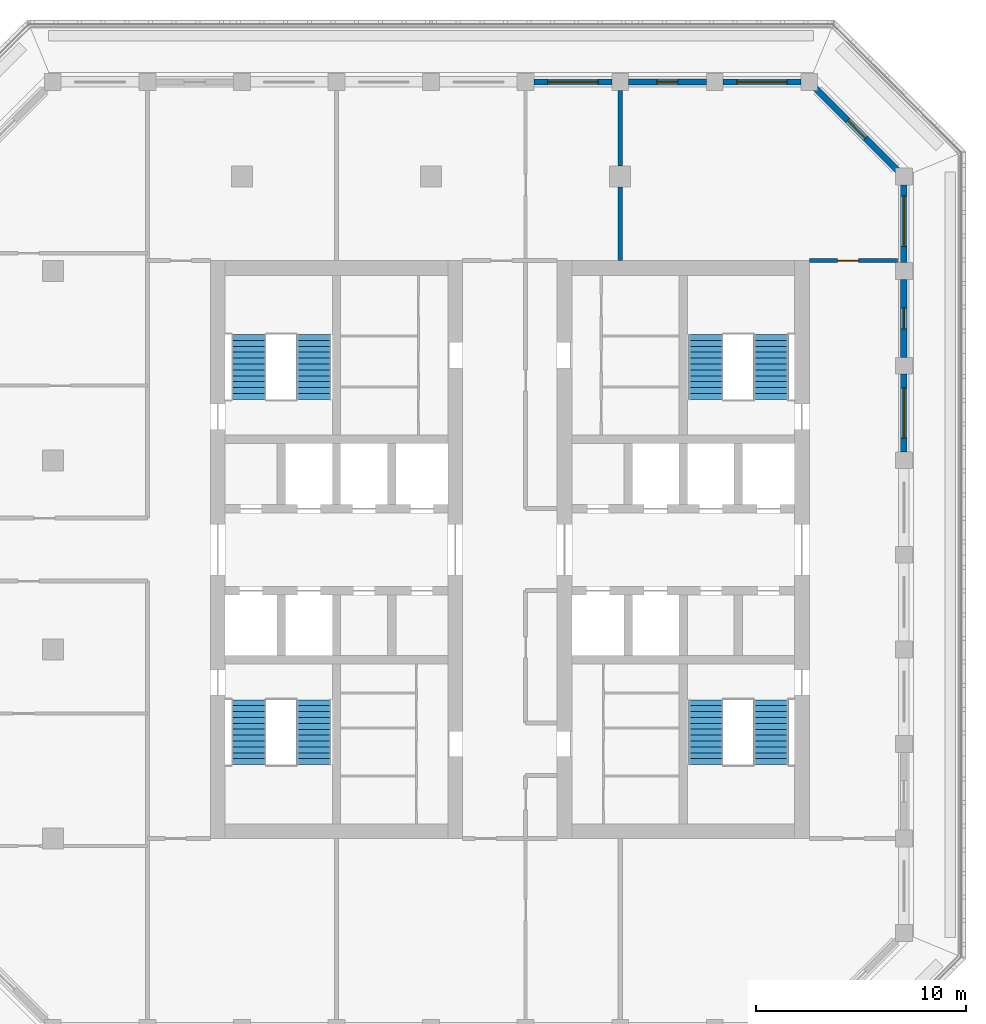
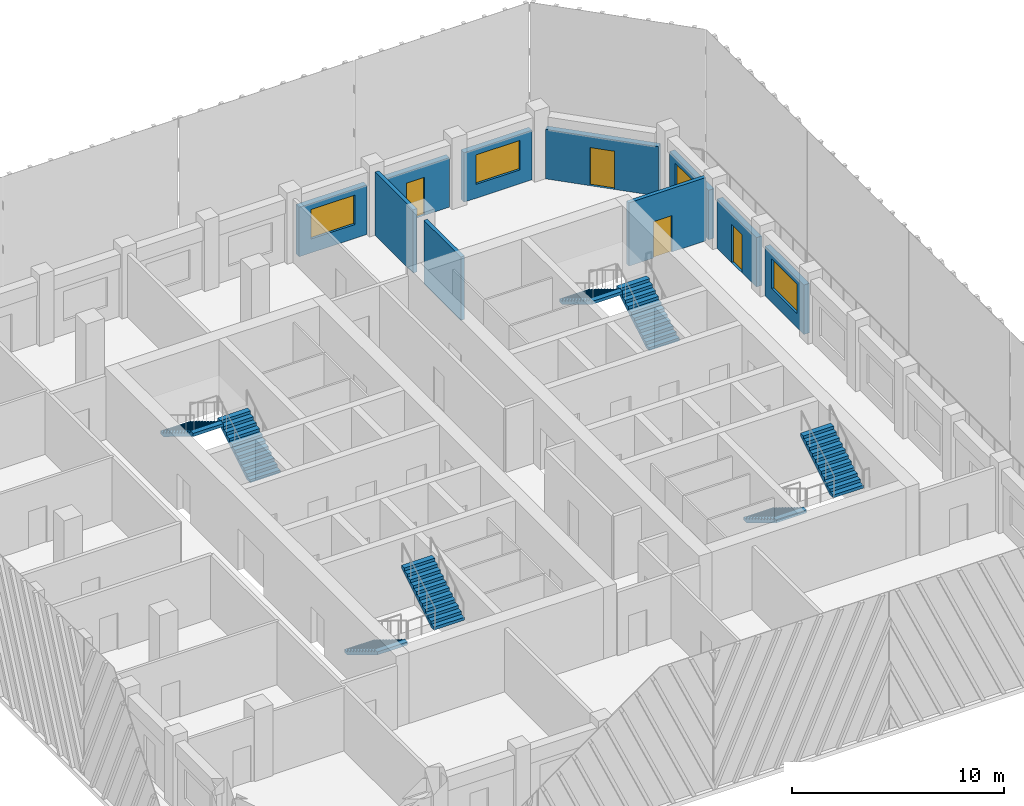
# One storey, part 7 of 15: 10 walls, 8 stair flights, 4 doors, 4 windows, 8 openings, 4 elements without a shape of their own.
"""IFC4 building model written with IfcOpenShell, lengths in metres."""

import ifcopenshell
import ifcopenshell.guid

model = None  # the IFC model being written
_history = None  # IfcOwnerHistory: only IFC2X3 demands one
_inside = {}  # id of a spatial element -> (the spatial element, [elements in it])
_under = {}  # id of a project, library or spatial element -> (it, [spatial elements below it])
_declared = {}  # id of a project -> (the project, [libraries it declares])
_typed = {}  # id of a type object -> (the type object, [elements of that type])
_made_of = {}  # id of a material, layer set ... -> (it, [elements and type objects made of it])


def new_model(schema):
    """Start an empty IFC model of exactly this schema.

    Asked for "IFC4X3", IfcOpenShell would pick the latest addendum, in which some entities
    have other attributes; the version numbers below select the first issue.
    IFC2X3 requires an IfcOwnerHistory on every rooted entity: one is made here for all.
    """
    global model, _history
    if schema == "IFC4X3":
        model = ifcopenshell.file(schema_version=(4, 3, 0, 0))
    else:
        model = ifcopenshell.file(schema=schema)
    _inside.clear()
    _under.clear()
    _declared.clear()
    _typed.clear()
    _made_of.clear()
    _history = None
    if model.schema == "IFC2X3":
        org = make("IfcOrganization", Name="unknown")
        user = make(
            "IfcPersonAndOrganization",
            ThePerson=make("IfcPerson", FamilyName="unknown"),
            TheOrganization=org,
        )
        app = make(
            "IfcApplication",
            ApplicationDeveloper=org,
            Version="unknown",
            ApplicationFullName="unknown",
            ApplicationIdentifier="unknown",
        )
        _history = make(
            "IfcOwnerHistory",
            OwningUser=user,
            OwningApplication=app,
            ChangeAction="ADDED",
            CreationDate=0,
        )
    return model


def make(cls, **values):
    """One entity of the class cls with the attributes given. An attribute that is None is left unset."""
    return model.create_entity(
        cls, **{name: value for name, value in values.items() if value is not None}
    )


def rooted(cls, **values):
    """An entity with a GlobalId (a new one), such as an element, a storey or a relation."""
    return make(cls, GlobalId=ifcopenshell.guid.new(), OwnerHistory=_history, **values)


def si_unit(unit_type, name, prefix=None):
    """IfcSIUnit, for example si_unit("LENGTHUNIT", "METRE", prefix="MILLI")."""
    return make("IfcSIUnit", UnitType=unit_type, Prefix=prefix, Name=name)


def assignment(units):
    """IfcUnitAssignment: the units of a project."""
    return None if units is None else make("IfcUnitAssignment", Units=units)


def point(xyz):
    """IfcCartesianPoint."""
    return None if xyz is None else make("IfcCartesianPoint", Coordinates=xyz)


def direction(xyz):
    """IfcDirection."""
    return None if xyz is None else make("IfcDirection", DirectionRatios=xyz)


def frame(location, z_axis=None, x_axis=None):
    """IfcAxis2Placement3D, a coordinate frame: its origin and axes. An axis left out is left unset."""
    return make(
        "IfcAxis2Placement3D",
        Location=point(location),
        Axis=direction(z_axis),
        RefDirection=direction(x_axis),
    )


def frame_2d(location, x_axis=None):
    """IfcAxis2Placement2D, a coordinate frame in the plane: its origin and x axis."""
    return make(
        "IfcAxis2Placement2D", Location=point(location), RefDirection=direction(x_axis)
    )


def origin():
    """The frame at (0, 0, 0) with its axes left unset."""
    return frame((0.0, 0.0, 0.0))


def place(relative_to, where):
    """IfcLocalPlacement: puts the frame where relative to a parent placement (None: the world)."""
    return make(
        "IfcLocalPlacement", PlacementRelTo=relative_to, RelativePlacement=where
    )


def context(
    kind, dimensions, precision=None, world=None, true_north=None, identifier=None
):
    """IfcGeometricRepresentationContext, for example the 3D "Model" context."""
    return make(
        "IfcGeometricRepresentationContext",
        ContextIdentifier=identifier,
        ContextType=kind,
        CoordinateSpaceDimension=dimensions,
        Precision=precision,
        WorldCoordinateSystem=world,
        TrueNorth=true_north,
    )


def subcontext(parent, identifier, kind, view, scale=None):
    """IfcGeometricRepresentationSubContext, for example "Body" below "Model"."""
    return make(
        "IfcGeometricRepresentationSubContext",
        ContextIdentifier=identifier,
        ContextType=kind,
        ParentContext=parent,
        TargetScale=scale,
        TargetView=view,
    )


def project(units=None, contexts=None):
    """IfcProject with its units and contexts."""
    return rooted(
        "IfcProject",
        Name="project",
        RepresentationContexts=contexts,
        UnitsInContext=assignment(units),
    )


def spatial(cls, under=None, at=None, **own):
    """A site, building, storey or space (cls), placed at a placement, below another one or the project."""
    s = rooted(cls, ObjectPlacement=at, **own)
    if under is not None:
        _under.setdefault(under.id(), (under, []))[1].append(s)
    return s


def polyline(points):
    """IfcPolyline through the points."""
    return make("IfcPolyline", Points=[point(p) for p in points])


def profile(cls, at=None, kind="AREA", **sizes):
    """A parametric profile (cls). Its sizes go by their IFC names, for example OverallWidth=200.0."""
    return make(cls, ProfileType=kind, Position=at, **sizes)


def rectangle(**sizes):
    """IfcRectangleProfileDef."""
    return profile("IfcRectangleProfileDef", **sizes)


def outline(outer, holes=None, kind="AREA"):
    """IfcArbitraryClosedProfileDef: a profile drawn as a closed curve; with holes, ...WithVoids."""
    if holes is None:
        return make("IfcArbitraryClosedProfileDef", ProfileType=kind, OuterCurve=outer)
    return make(
        "IfcArbitraryProfileDefWithVoids",
        ProfileType=kind,
        OuterCurve=outer,
        InnerCurves=holes,
    )


def extrude(swept, where, along, depth):
    """IfcExtrudedAreaSolid: the profile swept, set in the frame where, extruded along a direction by depth."""
    return make(
        "IfcExtrudedAreaSolid",
        SweptArea=swept,
        Position=where,
        ExtrudedDirection=direction(along),
        Depth=depth,
    )


def shape(context_of_items, identifier, shape_type, items):
    """IfcShapeRepresentation: the items that make up one representation, for example the "Body"."""
    return make(
        "IfcShapeRepresentation",
        ContextOfItems=context_of_items,
        RepresentationIdentifier=identifier,
        RepresentationType=shape_type,
        Items=items,
    )


def material(Name=None, Category=None):
    """IfcMaterial."""
    return make("IfcMaterial", Name=Name, Category=Category)


def layer(
    of_material, thickness, ventilated=None, Name=None, Category=None, Priority=None
):
    """IfcMaterialLayer: one layer of a wall or slab, of a material (None: an air gap)."""
    return make(
        "IfcMaterialLayer",
        Material=of_material,
        LayerThickness=thickness,
        IsVentilated=ventilated,
        Name=Name,
        Category=Category,
        Priority=Priority,
    )


def layer_set(layers, Name=None):
    """IfcMaterialLayerSet."""
    return make("IfcMaterialLayerSet", MaterialLayers=layers, LayerSetName=Name)


def made_of(thing, what):
    """Note that an element or type object is made of a material, layer set ...; save() writes the relation."""
    if what is not None:
        _made_of.setdefault(what.id(), (what, []))[1].append(thing)
    return thing


def type_object(cls, material=None, **own):
    """A type object (cls), such as IfcWallType, which elements share."""
    return made_of(rooted(cls, **own), material)


def element(
    cls,
    number,
    at=None,
    inside=None,
    cuts=None,
    type_object=None,
    material=None,
    context=None,
    identifier="Body",
    shape_type=None,
    held_by="IfcProductDefinitionShape",
    body=None,
    shapes=None,
    **own,
):
    """One element of the class cls, such as IfcWall. Its Tag is "e" and its number.

    at: its placement. inside: the storey or other place that contains it. cuts: it is an
    opening in that element (IfcRelVoidsElement). A single representation is given by context,
    identifier, shape_type and body (its items); several are given by shapes. held_by: the class
    of the entity that holds the representations. save() writes the other relations.
    """
    e = rooted(cls, Tag="e%d" % number, ObjectPlacement=at, **own)
    if body is not None:
        shapes = [shape(context, identifier, shape_type, body)]
    if shapes is not None:
        e.Representation = make(held_by, Representations=shapes)
    if inside is not None:
        _inside.setdefault(inside.id(), (inside, []))[1].append(e)
    if cuts is not None:
        rooted(
            "IfcRelVoidsElement", RelatingBuildingElement=cuts, RelatedOpeningElement=e
        )
    if type_object is not None:
        _typed.setdefault(type_object.id(), (type_object, []))[1].append(e)
    return made_of(e, material)


def fill(opening, filler):
    """IfcRelFillsElement: the door or window that sits in an opening."""
    return rooted(
        "IfcRelFillsElement",
        RelatingOpeningElement=opening,
        RelatedBuildingElement=filler,
    )


def aggregate(whole, parts):
    """IfcRelAggregates: a whole, such as a stair, and the parts it consists of."""
    return rooted("IfcRelAggregates", RelatingObject=whole, RelatedObjects=parts)


def save(model, path):
    """Write the relations noted so far, then the file.

    IfcRelAggregates (storeys below a building ...), IfcRelContainedInSpatialStructure (elements
    in a storey), IfcRelDefinesByType, IfcRelAssociatesMaterial and IfcRelDeclares: one each for
    every whole, place, type object, material and project.
    """
    for whole, parts in _under.values():
        aggregate(whole, parts)
    for where, things in _inside.values():
        rooted(
            "IfcRelContainedInSpatialStructure",
            RelatedElements=things,
            RelatingStructure=where,
        )
    for kind, things in _typed.values():
        rooted("IfcRelDefinesByType", RelatedObjects=things, RelatingType=kind)
    for what, things in _made_of.values():
        rooted("IfcRelAssociatesMaterial", RelatedObjects=things, RelatingMaterial=what)
    for by, libraries in _declared.values():
        rooted("IfcRelDeclares", RelatingContext=by, RelatedDefinitions=libraries)
    model.write(path)


model = new_model("IFC4")

# Units and contexts
model_context = context("Model", 3, precision=1e-05, world=origin(), true_north=direction((0.0, 1.0)))
body_context = subcontext(model_context, "Body", "Model", "MODEL_VIEW")
ifc_project = project(units=[si_unit("LENGTHUNIT", "METRE"), si_unit("AREAUNIT", "SQUARE_METRE"), si_unit("VOLUMEUNIT", "CUBIC_METRE"), si_unit("PLANEANGLEUNIT", "RADIAN"), si_unit("MASSUNIT", "GRAM", prefix="KILO")], contexts=[model_context])

# Site, building, storey
site_placement = place(None, origin())
site = spatial("IfcSite", under=ifc_project, at=site_placement, CompositionType="ELEMENT")
building_placement = place(site_placement, origin())
building = spatial("IfcBuilding", under=site, at=building_placement, Name="Corbel Stack Research Tower", CompositionType="ELEMENT")
storey_placement = place(building_placement, frame((0.0, 0.0, 282.699951171875)))
storey = spatial("IfcBuildingStorey", under=building, at=storey_placement, Name="L64", CompositionType="ELEMENT", Elevation=282.699951171875)

# Walls
ifc_material_1 = material(Name="Fire-rated gypsum board partition on steel studs", Category="steel")
ifc_layer_1 = layer(ifc_material_1, 0.199951171875)
ifc_layer_set_1 = layer_set([ifc_layer_1], Name="Fire-rated gypsum board partition on steel studs")
wall_type_1 = type_object("IfcWallType", Name="Fire-rated partition 200 EI 60", PredefinedType="PARTITIONING", material=ifc_layer_set_1)
wall_1_placement = place(storey_placement, frame((9.0, 18.5, 0.0), z_axis=(0.0, 0.0, 1.0), x_axis=(0.0, 1.0, 0.0)))
element("IfcWall", 1, at=wall_1_placement, inside=storey, type_object=wall_type_1, Name="Partition L64-011", PredefinedType="PARTITIONING", context=body_context, shape_type="SweptSolid", body=[
    extrude(rectangle(XDim=3.5, YDim=0.199951171875, at=frame_2d((1.75, 0.0))), origin(), (0.0, 0.0, 1.0), 3.650146484375),
])
wall_2_placement = place(storey_placement, frame((9.0, 23.0, 0.0), z_axis=(0.0, 0.0, 1.0), x_axis=(0.0, 1.0, 0.0)))
element("IfcWall", 2, at=wall_2_placement, inside=storey, type_object=wall_type_1, Name="Partition L64-012", PredefinedType="PARTITIONING", context=body_context, shape_type="SweptSolid", body=[
    extrude(rectangle(XDim=3.60009765625, YDim=0.199951171875, at=frame_2d((1.800048828125, 0.0))), origin(), (0.0, 0.0, 1.0), 3.650146484375),
])

# Wall, opening, door
wall_3_placement = place(storey_placement, frame((18.0, 18.5, 0.0), z_axis=(0.0, 0.0, 1.0), x_axis=(1.0, 0.0, 0.0)))
wall_3 = element("IfcWall", 3, at=wall_3_placement, inside=storey, type_object=wall_type_1, Name="Partition L64-028", PredefinedType="PARTITIONING", context=body_context, shape_type="SweptSolid", body=[
    extrude(rectangle(XDim=4.200927734375, YDim=0.199951171875, at=frame_2d((2.1005859375, 0.0))), origin(), (0.0, 0.0, 1.0), 3.650146484375),
])
opening_1_placement = place(wall_3_placement, frame((1.35009765625, 0.0, 0.0)))
opening_1 = element("IfcOpeningElement", 4, at=opening_1_placement, cuts=wall_3, Name="Opening B8V2-016", PredefinedType="OPENING", context=body_context, shape_type="SweptSolid", body=[
    extrude(rectangle(XDim=1.0, YDim=2.10009765625, at=frame_2d((0.5, 1.050048828125))), frame((0.0, 0.10986328125, 0.0), z_axis=(0.0, -1.0, 0.0), x_axis=(1.0, 0.0, 0.0)), (0.0, 0.0, 1.0), 0.219970703125),
])
ifc_material_2 = material(Name="Painted steel fire door", Category="steel")
door_type_1 = type_object("IfcDoorType", Name="Fire door FD30S 1000 x 2100", OperationType="NOTDEFINED", PredefinedType="DOOR", material=ifc_material_2)
door_1_placement = place(opening_1_placement, origin())
door_1 = element("IfcDoor", 5, at=door_1_placement, inside=storey, type_object=door_type_1, Name="Door B8V2-016", OperationType="SINGLE_SWING_LEFT", OverallHeight=2.10009765625, OverallWidth=1.0, PredefinedType="DOOR", context=body_context, shape_type="SweptSolid", body=[
    extrude(rectangle(XDim=1.0, YDim=2.10009765625, at=frame_2d((0.5, 1.050048828125))), frame((0.0, 0.02490234375, 0.0), z_axis=(0.0, -1.0, 0.0), x_axis=(1.0, 0.0, 0.0)), (0.0, 0.0, 1.0), 0.050048828125),
])
fill(opening_1, door_1)

# Wall, opening, window
ifc_material_3 = material(Name="Concrete C45/55", Category="concrete")
ifc_layer_2 = layer(ifc_material_3, 0.300048828125)
ifc_layer_set_2 = layer_set([ifc_layer_2], Name="Concrete C45/55")
wall_type_2 = type_object("IfcWallType", Name="Terracotta-faced concrete wall 300", PredefinedType="SOLIDWALL", material=ifc_layer_set_2)
wall_4_placement = place(storey_placement, frame((22.5, 13.10009765625, 0.0), z_axis=(0.0, 0.0, 1.0), x_axis=(0.0, -1.0, 0.0)))
wall_4 = element("IfcWall", 6, at=wall_4_placement, inside=storey, type_object=wall_type_2, Name="Facade wall L64 E06", PredefinedType="SOLIDWALL", context=body_context, shape_type="SweptSolid", body=[
    extrude(rectangle(XDim=3.7001953125, YDim=0.300048828125, at=frame_2d((1.85009765625, 0.0))), origin(), (0.0, 0.0, 1.0), 2.85009765625),
])
opening_2_placement = place(wall_4_placement, frame((0.64990234375, 0.0, 0.800048828125)))
opening_2 = element("IfcOpeningElement", 7, at=opening_2_placement, cuts=wall_4, Name="Opening W1", PredefinedType="OPENING", context=body_context, shape_type="SweptSolid", body=[
    extrude(rectangle(XDim=2.39990234375, YDim=1.699951171875, at=frame_2d((1.199951171875, 0.85009765625))), frame((0.0, 0.159912109375, 0.0), z_axis=(0.0, -1.0, 0.0), x_axis=(1.0, 0.0, 0.0)), (0.0, 0.0, 1.0), 0.320068359375),
])
ifc_material_4 = material(Name="Aluminium frame, clear double glazing", Category="aluminium")
window_type = type_object("IfcWindowType", Name="Window W1 2400 x 1700", PartitioningType="SINGLE_PANEL", PredefinedType="WINDOW", material=ifc_material_4)
window_1_placement = place(opening_2_placement, origin())
window_1 = element("IfcWindow", 8, at=window_1_placement, inside=storey, type_object=window_type, Name="Window W1 L64 E06", OverallHeight=1.699951171875, OverallWidth=2.39990234375, PartitioningType="SINGLE_PANEL", PredefinedType="WINDOW", context=body_context, shape_type="SweptSolid", body=[
    extrude(rectangle(XDim=2.39990234375, YDim=1.699951171875, at=frame_2d((1.199951171875, 0.85009765625))), frame((0.0, 0.030029296875, 0.0), z_axis=(0.0, -1.0, 0.0), x_axis=(1.0, 0.0, 0.0)), (0.0, 0.0, 1.0), 0.06005859375),
])
fill(opening_2, window_1)

# Wall, opening, door
wall_5_placement = place(storey_placement, frame((22.5, 17.60009765625, 0.0), z_axis=(0.0, 0.0, 1.0), x_axis=(0.0, -1.0, 0.0)))
wall_5 = element("IfcWall", 9, at=wall_5_placement, inside=storey, type_object=wall_type_2, Name="Facade wall L64 E07", PredefinedType="SOLIDWALL", context=body_context, shape_type="SweptSolid", body=[
    extrude(rectangle(XDim=3.7001953125, YDim=0.300048828125, at=frame_2d((1.85009765625, 0.0))), origin(), (0.0, 0.0, 1.0), 2.85009765625),
])
opening_3_placement = place(wall_5_placement, frame((1.35009765625, 0.0, 0.0)))
opening_3 = element("IfcOpeningElement", 10, at=opening_3_placement, cuts=wall_5, Name="Opening L64-B05", PredefinedType="OPENING", context=body_context, shape_type="SweptSolid", body=[
    extrude(rectangle(XDim=1.0, YDim=2.199951171875, at=frame_2d((0.5, 1.10009765625))), frame((0.0, 0.159912109375, 0.0), z_axis=(0.0, -1.0, 0.0), x_axis=(1.0, 0.0, 0.0)), (0.0, 0.0, 1.0), 0.320068359375),
])
ifc_material_5 = material(Name="Aluminium frame, clear double glazing", Category="aluminium")
door_type_2 = type_object("IfcDoorType", Name="Balcony door BD1 1000 x 2200", OperationType="NOTDEFINED", PredefinedType="DOOR", material=ifc_material_5)
door_2_placement = place(opening_3_placement, origin())
door_2 = element("IfcDoor", 11, at=door_2_placement, inside=storey, type_object=door_type_2, Name="Balcony door L64-B05", OperationType="SINGLE_SWING_LEFT", OverallHeight=2.199951171875, OverallWidth=1.0, PredefinedType="DOOR", context=body_context, shape_type="SweptSolid", body=[
    extrude(rectangle(XDim=1.0, YDim=2.199951171875, at=frame_2d((0.5, 1.10009765625))), frame((0.0, 0.02490234375, 0.0), z_axis=(0.0, -1.0, 0.0), x_axis=(1.0, 0.0, 0.0)), (0.0, 0.0, 1.0), 0.050048828125),
])
fill(opening_3, door_2)

# Wall, opening, window
wall_6_placement = place(storey_placement, frame((22.5, 22.10009765625, 0.0), z_axis=(0.0, 0.0, 1.0), x_axis=(0.0, -1.0, 0.0)))
wall_6 = element("IfcWall", 12, at=wall_6_placement, inside=storey, type_object=wall_type_2, Name="Facade wall L64 E08", PredefinedType="SOLIDWALL", context=body_context, shape_type="SweptSolid", body=[
    extrude(rectangle(XDim=3.7001953125, YDim=0.300048828125, at=frame_2d((1.85009765625, 0.0))), origin(), (0.0, 0.0, 1.0), 2.85009765625),
])
opening_4_placement = place(wall_6_placement, frame((0.52490234375, 0.0, 0.800048828125)))
opening_4 = element("IfcOpeningElement", 13, at=opening_4_placement, cuts=wall_6, Name="Opening W1", PredefinedType="OPENING", context=body_context, shape_type="SweptSolid", body=[
    extrude(rectangle(XDim=2.39990234375, YDim=1.699951171875, at=frame_2d((1.199951171875, 0.85009765625))), frame((0.0, 0.159912109375, 0.0), z_axis=(0.0, -1.0, 0.0), x_axis=(1.0, 0.0, 0.0)), (0.0, 0.0, 1.0), 0.320068359375),
])
window_2_placement = place(opening_4_placement, origin())
window_2 = element("IfcWindow", 14, at=window_2_placement, inside=storey, type_object=window_type, Name="Window W1 L64 E08", OverallHeight=1.699951171875, OverallWidth=2.39990234375, PartitioningType="SINGLE_PANEL", PredefinedType="WINDOW", context=body_context, shape_type="SweptSolid", body=[
    extrude(rectangle(XDim=2.39990234375, YDim=1.699951171875, at=frame_2d((1.199951171875, 0.85009765625))), frame((0.0, 0.030029296875, 0.0), z_axis=(0.0, -1.0, 0.0), x_axis=(1.0, 0.0, 0.0)), (0.0, 0.0, 1.0), 0.06005859375),
])
fill(opening_4, window_2)

# Wall, opening, door
wall_7_placement = place(storey_placement, frame((18.2939453125, 26.7060546875, 0.0), z_axis=(0.0, 0.0, 1.0), x_axis=(0.707106781187, -0.707106781187, 0.0)))
wall_7 = element("IfcWall", 15, at=wall_7_placement, inside=storey, type_object=wall_type_2, Name="Facade wall L64 NE01", PredefinedType="SOLIDWALL", context=body_context, shape_type="SweptSolid", body=[
    extrude(rectangle(XDim=5.532470703125, YDim=0.300048828125, at=frame_2d((2.76611328125, 0.0))), origin(), (0.0, 0.0, 1.0), 2.85009765625),
])
opening_5_placement = place(wall_7_placement, frame((2.166259765625, 0.0, 0.0)))
opening_5 = element("IfcOpeningElement", 16, at=opening_5_placement, cuts=wall_7, Name="Opening L64-B06", PredefinedType="OPENING", context=body_context, shape_type="SweptSolid", body=[
    extrude(rectangle(XDim=1.199951171875, YDim=2.199951171875, at=frame_2d((0.60009765625, 1.10009765625))), frame((0.0, 0.159912109375, 0.0), z_axis=(0.0, -1.0, 0.0), x_axis=(1.0, 0.0, 0.0)), (0.0, 0.0, 1.0), 0.320068359375),
])
ifc_material_6 = material(Name="Aluminium frame, clear double glazing", Category="aluminium")
door_type_3 = type_object("IfcDoorType", Name="Balcony door BD2 1200 x 2200", OperationType="NOTDEFINED", PredefinedType="DOOR", material=ifc_material_6)
door_3_placement = place(opening_5_placement, origin())
door_3 = element("IfcDoor", 17, at=door_3_placement, inside=storey, type_object=door_type_3, Name="Balcony door L64-B06", OperationType="SINGLE_SWING_LEFT", OverallHeight=2.199951171875, OverallWidth=1.199951171875, PredefinedType="DOOR", context=body_context, shape_type="SweptSolid", body=[
    extrude(rectangle(XDim=1.199951171875, YDim=2.199951171875, at=frame_2d((0.60009765625, 1.10009765625))), frame((0.0, 0.02490234375, 0.0), z_axis=(0.0, -1.0, 0.0), x_axis=(1.0, 0.0, 0.0)), (0.0, 0.0, 1.0), 0.050048828125),
])
fill(opening_5, door_3)

# Wall, opening, window
wall_8_placement = place(storey_placement, frame((13.89990234375, 27.0, 0.0), z_axis=(0.0, 0.0, 1.0), x_axis=(1.0, 0.0, 0.0)))
wall_8 = element("IfcWall", 18, at=wall_8_placement, inside=storey, type_object=wall_type_2, Name="Facade wall L64 N01", PredefinedType="SOLIDWALL", context=body_context, shape_type="SweptSolid", body=[
    extrude(rectangle(XDim=3.7001953125, YDim=0.300048828125, at=frame_2d((1.85009765625, 0.0))), origin(), (0.0, 0.0, 1.0), 2.85009765625),
])
opening_6_placement = place(wall_8_placement, frame((0.64990234375, 0.0, 0.800048828125)))
opening_6 = element("IfcOpeningElement", 19, at=opening_6_placement, cuts=wall_8, Name="Opening W1", PredefinedType="OPENING", context=body_context, shape_type="SweptSolid", body=[
    extrude(rectangle(XDim=2.39990234375, YDim=1.699951171875, at=frame_2d((1.199951171875, 0.85009765625))), frame((0.0, 0.159912109375, 0.0), z_axis=(0.0, -1.0, 0.0), x_axis=(1.0, 0.0, 0.0)), (0.0, 0.0, 1.0), 0.320068359375),
])
window_3_placement = place(opening_6_placement, origin())
window_3 = element("IfcWindow", 20, at=window_3_placement, inside=storey, type_object=window_type, Name="Window W1 L64 N01", OverallHeight=1.699951171875, OverallWidth=2.39990234375, PartitioningType="SINGLE_PANEL", PredefinedType="WINDOW", context=body_context, shape_type="SweptSolid", body=[
    extrude(rectangle(XDim=2.39990234375, YDim=1.699951171875, at=frame_2d((1.199951171875, 0.85009765625))), frame((0.0, 0.030029296875, 0.0), z_axis=(0.0, -1.0, 0.0), x_axis=(1.0, 0.0, 0.0)), (0.0, 0.0, 1.0), 0.06005859375),
])
fill(opening_6, window_3)

# Wall, opening, door
wall_9_placement = place(storey_placement, frame((9.39990234375, 27.0, 0.0), z_axis=(0.0, 0.0, 1.0), x_axis=(1.0, 0.0, 0.0)))
wall_9 = element("IfcWall", 21, at=wall_9_placement, inside=storey, type_object=wall_type_2, Name="Facade wall L64 N02", PredefinedType="SOLIDWALL", context=body_context, shape_type="SweptSolid", body=[
    extrude(rectangle(XDim=3.7001953125, YDim=0.300048828125, at=frame_2d((1.85009765625, 0.0))), origin(), (0.0, 0.0, 1.0), 2.85009765625),
])
opening_7_placement = place(wall_9_placement, frame((1.35009765625, 0.0, 0.0)))
opening_7 = element("IfcOpeningElement", 22, at=opening_7_placement, cuts=wall_9, Name="Opening L64-B07", PredefinedType="OPENING", context=body_context, shape_type="SweptSolid", body=[
    extrude(rectangle(XDim=1.0, YDim=2.199951171875, at=frame_2d((0.5, 1.10009765625))), frame((0.0, 0.159912109375, 0.0), z_axis=(0.0, -1.0, 0.0), x_axis=(1.0, 0.0, 0.0)), (0.0, 0.0, 1.0), 0.320068359375),
])
door_4_placement = place(opening_7_placement, origin())
door_4 = element("IfcDoor", 23, at=door_4_placement, inside=storey, type_object=door_type_2, Name="Balcony door L64-B07", OperationType="SINGLE_SWING_RIGHT", OverallHeight=2.199951171875, OverallWidth=1.0, PredefinedType="DOOR", context=body_context, shape_type="SweptSolid", body=[
    extrude(rectangle(XDim=1.0, YDim=2.199951171875, at=frame_2d((0.5, 1.10009765625))), frame((0.0, 0.02490234375, 0.0), z_axis=(0.0, -1.0, 0.0), x_axis=(1.0, 0.0, 0.0)), (0.0, 0.0, 1.0), 0.050048828125),
])
fill(opening_7, door_4)

# Wall, opening, window
wall_10_placement = place(storey_placement, frame((4.89990234375, 27.0, 0.0), z_axis=(0.0, 0.0, 1.0), x_axis=(1.0, 0.0, 0.0)))
wall_10 = element("IfcWall", 24, at=wall_10_placement, inside=storey, type_object=wall_type_2, Name="Facade wall L64 N03", PredefinedType="SOLIDWALL", context=body_context, shape_type="SweptSolid", body=[
    extrude(rectangle(XDim=3.7001953125, YDim=0.300048828125, at=frame_2d((1.85009765625, 0.0))), origin(), (0.0, 0.0, 1.0), 2.85009765625),
])
opening_8_placement = place(wall_10_placement, frame((0.64990234375, 0.0, 0.800048828125)))
opening_8 = element("IfcOpeningElement", 25, at=opening_8_placement, cuts=wall_10, Name="Opening W1", PredefinedType="OPENING", context=body_context, shape_type="SweptSolid", body=[
    extrude(rectangle(XDim=2.39990234375, YDim=1.699951171875, at=frame_2d((1.199951171875, 0.85009765625))), frame((0.0, 0.159912109375, 0.0), z_axis=(0.0, -1.0, 0.0), x_axis=(1.0, 0.0, 0.0)), (0.0, 0.0, 1.0), 0.320068359375),
])
window_4_placement = place(opening_8_placement, origin())
window_4 = element("IfcWindow", 26, at=window_4_placement, inside=storey, type_object=window_type, Name="Window W1 L64 N03", OverallHeight=1.699951171875, OverallWidth=2.39990234375, PartitioningType="SINGLE_PANEL", PredefinedType="WINDOW", context=body_context, shape_type="SweptSolid", body=[
    extrude(rectangle(XDim=2.39990234375, YDim=1.699951171875, at=frame_2d((1.199951171875, 0.85009765625))), frame((0.0, 0.030029296875, 0.0), z_axis=(0.0, -1.0, 0.0), x_axis=(1.0, 0.0, 0.0)), (0.0, 0.0, 1.0), 0.06005859375),
])
fill(opening_8, window_4)

# Stair, stair flights
ifc_material_7 = material(Name="Concrete C40/50", Category="concrete")
stair_type = type_object("IfcStairType", Name="Exit stair 24 risers", PredefinedType="HALF_TURN_STAIR", material=ifc_material_7)
stair_1_placement = place(storey_placement, origin())
stair_1 = element("IfcStair", 27, at=stair_1_placement, inside=storey, type_object=stair_type, Name="L64 Exit stair ST-W1", PredefinedType="HALF_TURN_STAIR")
ifc_material_8 = material(Name="Concrete C40/50", Category="concrete")
stair_flight_type = type_object("IfcStairFlightType", Name="Stair flight 12 risers", PredefinedType="STRAIGHT", material=ifc_material_8)
stair_flight_1_placement = place(storey_placement, frame((-8.675048828125, -2.39990234375, 0.0), z_axis=(0.0, 0.0, 1.0), x_axis=(0.0, -1.0, 0.0)))
stair_flight_1 = element("IfcStairFlight", 28, at=stair_flight_1_placement, type_object=stair_flight_type, Name="ST-W1 flight 1", NumberOfRisers=12, NumberOfTreads=11, PredefinedType="STRAIGHT", RiserHeight=0.170833333, TreadLength=0.28, context=body_context, shape_type="SweptSolid", body=[
    extrude(outline(polyline([(0.0, 0.0), (0.0, 0.1708984375), (0.280029296875, 0.1708984375), (0.280029296875, 0.341552734375), (0.56005859375, 0.341552734375), (0.56005859375, 0.512451171875), (0.840087890625, 0.512451171875), (0.840087890625, 0.683349609375), (1.1201171875, 0.683349609375), (1.1201171875, 0.854248046875), (1.39990234375, 0.854248046875), (1.39990234375, 1.02490234375), (1.679931640625, 1.02490234375), (1.679931640625, 1.19580078125), (1.9599609375, 1.19580078125), (1.9599609375, 1.36669921875), (2.239990234375, 1.36669921875), (2.239990234375, 1.53759765625), (2.52001953125, 1.53759765625), (2.52001953125, 1.708251953125), (2.800048828125, 1.708251953125), (2.800048828125, 1.879150390625), (3.080078125, 1.879150390625), (3.080078125, 2.050048828125), (3.080078125, 1.70361328125), (0.287841796875, 0.0), (0.0, 0.0)])), frame((0.0, 0.824951171875, 0.0), z_axis=(0.0, -1.0, 0.0), x_axis=(1.0, 0.0, 0.0)), (0.0, 0.0, 1.0), 1.64990234375),
])
stair_flight_2_placement = place(storey_placement, frame((-5.574951171875, -5.47998046875, 2.050048828125), z_axis=(0.0, 0.0, 1.0), x_axis=(0.0, 1.0, 0.0)))
stair_flight_2 = element("IfcStairFlight", 29, at=stair_flight_2_placement, type_object=stair_flight_type, Name="ST-W1 flight 2", NumberOfRisers=12, NumberOfTreads=11, PredefinedType="STRAIGHT", RiserHeight=0.170833333, TreadLength=0.28, context=body_context, shape_type="SweptSolid", body=[
    extrude(outline(polyline([(0.0, 0.0), (0.0, 0.1708984375), (0.280029296875, 0.1708984375), (0.280029296875, 0.341552734375), (0.56005859375, 0.341552734375), (0.56005859375, 0.512451171875), (0.840087890625, 0.512451171875), (0.840087890625, 0.683349609375), (1.1201171875, 0.683349609375), (1.1201171875, 0.854248046875), (1.39990234375, 0.854248046875), (1.39990234375, 1.02490234375), (1.679931640625, 1.02490234375), (1.679931640625, 1.19580078125), (1.9599609375, 1.19580078125), (1.9599609375, 1.36669921875), (2.239990234375, 1.36669921875), (2.239990234375, 1.53759765625), (2.52001953125, 1.53759765625), (2.52001953125, 1.708251953125), (2.800048828125, 1.708251953125), (2.800048828125, 1.879150390625), (3.080078125, 1.879150390625), (3.080078125, 2.050048828125), (3.080078125, 1.70361328125), (0.287841796875, 0.0), (0.0, 0.0)])), frame((0.0, 0.824951171875, 0.0), z_axis=(0.0, -1.0, 0.0), x_axis=(1.0, 0.0, 0.0)), (0.0, 0.0, 1.0), 1.64990234375),
])
aggregate(stair_1, [stair_flight_1, stair_flight_2])

stair_2_placement = place(storey_placement, origin())
stair_2 = element("IfcStair", 30, at=stair_2_placement, inside=storey, type_object=stair_type, Name="L64 Exit stair ST-W2", PredefinedType="HALF_TURN_STAIR")
stair_flight_3_placement = place(storey_placement, frame((-5.574951171875, 11.89990234375, 0.0), z_axis=(0.0, 0.0, 1.0), x_axis=(0.0, 1.0, 0.0)))
stair_flight_3 = element("IfcStairFlight", 31, at=stair_flight_3_placement, type_object=stair_flight_type, Name="ST-W2 flight 1", NumberOfRisers=12, NumberOfTreads=11, PredefinedType="STRAIGHT", RiserHeight=0.170833333, TreadLength=0.28, context=body_context, shape_type="SweptSolid", body=[
    extrude(outline(polyline([(0.0, 0.0), (0.0, 0.1708984375), (0.280029296875, 0.1708984375), (0.280029296875, 0.341552734375), (0.56005859375, 0.341552734375), (0.56005859375, 0.512451171875), (0.840087890625, 0.512451171875), (0.840087890625, 0.683349609375), (1.1201171875, 0.683349609375), (1.1201171875, 0.854248046875), (1.39990234375, 0.854248046875), (1.39990234375, 1.02490234375), (1.679931640625, 1.02490234375), (1.679931640625, 1.19580078125), (1.9599609375, 1.19580078125), (1.9599609375, 1.36669921875), (2.239990234375, 1.36669921875), (2.239990234375, 1.53759765625), (2.52001953125, 1.53759765625), (2.52001953125, 1.708251953125), (2.800048828125, 1.708251953125), (2.800048828125, 1.879150390625), (3.080078125, 1.879150390625), (3.080078125, 2.050048828125), (3.080078125, 1.70361328125), (0.287841796875, 0.0), (0.0, 0.0)])), frame((0.0, 0.824951171875, 0.0), z_axis=(0.0, -1.0, 0.0), x_axis=(1.0, 0.0, 0.0)), (0.0, 0.0, 1.0), 1.64990234375),
])
stair_flight_4_placement = place(storey_placement, frame((-8.675048828125, 14.97998046875, 2.050048828125), z_axis=(0.0, 0.0, 1.0), x_axis=(0.0, -1.0, 0.0)))
stair_flight_4 = element("IfcStairFlight", 32, at=stair_flight_4_placement, type_object=stair_flight_type, Name="ST-W2 flight 2", NumberOfRisers=12, NumberOfTreads=11, PredefinedType="STRAIGHT", RiserHeight=0.170833333, TreadLength=0.28, context=body_context, shape_type="SweptSolid", body=[
    extrude(outline(polyline([(0.0, 0.0), (0.0, 0.1708984375), (0.280029296875, 0.1708984375), (0.280029296875, 0.341552734375), (0.56005859375, 0.341552734375), (0.56005859375, 0.512451171875), (0.840087890625, 0.512451171875), (0.840087890625, 0.683349609375), (1.1201171875, 0.683349609375), (1.1201171875, 0.854248046875), (1.39990234375, 0.854248046875), (1.39990234375, 1.02490234375), (1.679931640625, 1.02490234375), (1.679931640625, 1.19580078125), (1.9599609375, 1.19580078125), (1.9599609375, 1.36669921875), (2.239990234375, 1.36669921875), (2.239990234375, 1.53759765625), (2.52001953125, 1.53759765625), (2.52001953125, 1.708251953125), (2.800048828125, 1.708251953125), (2.800048828125, 1.879150390625), (3.080078125, 1.879150390625), (3.080078125, 2.050048828125), (3.080078125, 1.70361328125), (0.287841796875, 0.0), (0.0, 0.0)])), frame((0.0, 0.824951171875, 0.0), z_axis=(0.0, -1.0, 0.0), x_axis=(1.0, 0.0, 0.0)), (0.0, 0.0, 1.0), 1.64990234375),
])
aggregate(stair_2, [stair_flight_3, stair_flight_4])

stair_3_placement = place(storey_placement, origin())
stair_3 = element("IfcStair", 33, at=stair_3_placement, inside=storey, type_object=stair_type, Name="L64 Exit stair ST-E1", PredefinedType="HALF_TURN_STAIR")
stair_flight_5_placement = place(storey_placement, frame((13.074951171875, -2.39990234375, 0.0), z_axis=(0.0, 0.0, 1.0), x_axis=(0.0, -1.0, 0.0)))
stair_flight_5 = element("IfcStairFlight", 34, at=stair_flight_5_placement, type_object=stair_flight_type, Name="ST-E1 flight 1", NumberOfRisers=12, NumberOfTreads=11, PredefinedType="STRAIGHT", RiserHeight=0.170833333, TreadLength=0.28, context=body_context, shape_type="SweptSolid", body=[
    extrude(outline(polyline([(0.0, 0.0), (0.0, 0.1708984375), (0.280029296875, 0.1708984375), (0.280029296875, 0.341552734375), (0.56005859375, 0.341552734375), (0.56005859375, 0.512451171875), (0.840087890625, 0.512451171875), (0.840087890625, 0.683349609375), (1.1201171875, 0.683349609375), (1.1201171875, 0.854248046875), (1.39990234375, 0.854248046875), (1.39990234375, 1.02490234375), (1.679931640625, 1.02490234375), (1.679931640625, 1.19580078125), (1.9599609375, 1.19580078125), (1.9599609375, 1.36669921875), (2.239990234375, 1.36669921875), (2.239990234375, 1.53759765625), (2.52001953125, 1.53759765625), (2.52001953125, 1.708251953125), (2.800048828125, 1.708251953125), (2.800048828125, 1.879150390625), (3.080078125, 1.879150390625), (3.080078125, 2.050048828125), (3.080078125, 1.70361328125), (0.287841796875, 0.0), (0.0, 0.0)])), frame((0.0, 0.824951171875, 0.0), z_axis=(0.0, -1.0, 0.0), x_axis=(1.0, 0.0, 0.0)), (0.0, 0.0, 1.0), 1.64990234375),
])
stair_flight_6_placement = place(storey_placement, frame((16.175048828125, -5.47998046875, 2.050048828125), z_axis=(0.0, 0.0, 1.0), x_axis=(0.0, 1.0, 0.0)))
stair_flight_6 = element("IfcStairFlight", 35, at=stair_flight_6_placement, type_object=stair_flight_type, Name="ST-E1 flight 2", NumberOfRisers=12, NumberOfTreads=11, PredefinedType="STRAIGHT", RiserHeight=0.170833333, TreadLength=0.28, context=body_context, shape_type="SweptSolid", body=[
    extrude(outline(polyline([(0.0, 0.0), (0.0, 0.1708984375), (0.280029296875, 0.1708984375), (0.280029296875, 0.341552734375), (0.56005859375, 0.341552734375), (0.56005859375, 0.512451171875), (0.840087890625, 0.512451171875), (0.840087890625, 0.683349609375), (1.1201171875, 0.683349609375), (1.1201171875, 0.854248046875), (1.39990234375, 0.854248046875), (1.39990234375, 1.02490234375), (1.679931640625, 1.02490234375), (1.679931640625, 1.19580078125), (1.9599609375, 1.19580078125), (1.9599609375, 1.36669921875), (2.239990234375, 1.36669921875), (2.239990234375, 1.53759765625), (2.52001953125, 1.53759765625), (2.52001953125, 1.708251953125), (2.800048828125, 1.708251953125), (2.800048828125, 1.879150390625), (3.080078125, 1.879150390625), (3.080078125, 2.050048828125), (3.080078125, 1.70361328125), (0.287841796875, 0.0), (0.0, 0.0)])), frame((0.0, 0.824951171875, 0.0), z_axis=(0.0, -1.0, 0.0), x_axis=(1.0, 0.0, 0.0)), (0.0, 0.0, 1.0), 1.64990234375),
])
aggregate(stair_3, [stair_flight_5, stair_flight_6])

stair_4_placement = place(storey_placement, origin())
stair_4 = element("IfcStair", 36, at=stair_4_placement, inside=storey, type_object=stair_type, Name="L64 Exit stair ST-E2", PredefinedType="HALF_TURN_STAIR")
stair_flight_7_placement = place(storey_placement, frame((16.175048828125, 11.89990234375, 0.0), z_axis=(0.0, 0.0, 1.0), x_axis=(0.0, 1.0, 0.0)))
stair_flight_7 = element("IfcStairFlight", 37, at=stair_flight_7_placement, type_object=stair_flight_type, Name="ST-E2 flight 1", NumberOfRisers=12, NumberOfTreads=11, PredefinedType="STRAIGHT", RiserHeight=0.170833333, TreadLength=0.28, context=body_context, shape_type="SweptSolid", body=[
    extrude(outline(polyline([(0.0, 0.0), (0.0, 0.1708984375), (0.280029296875, 0.1708984375), (0.280029296875, 0.341552734375), (0.56005859375, 0.341552734375), (0.56005859375, 0.512451171875), (0.840087890625, 0.512451171875), (0.840087890625, 0.683349609375), (1.1201171875, 0.683349609375), (1.1201171875, 0.854248046875), (1.39990234375, 0.854248046875), (1.39990234375, 1.02490234375), (1.679931640625, 1.02490234375), (1.679931640625, 1.19580078125), (1.9599609375, 1.19580078125), (1.9599609375, 1.36669921875), (2.239990234375, 1.36669921875), (2.239990234375, 1.53759765625), (2.52001953125, 1.53759765625), (2.52001953125, 1.708251953125), (2.800048828125, 1.708251953125), (2.800048828125, 1.879150390625), (3.080078125, 1.879150390625), (3.080078125, 2.050048828125), (3.080078125, 1.70361328125), (0.287841796875, 0.0), (0.0, 0.0)])), frame((0.0, 0.824951171875, 0.0), z_axis=(0.0, -1.0, 0.0), x_axis=(1.0, 0.0, 0.0)), (0.0, 0.0, 1.0), 1.64990234375),
])
stair_flight_8_placement = place(storey_placement, frame((13.074951171875, 14.97998046875, 2.050048828125), z_axis=(0.0, 0.0, 1.0), x_axis=(0.0, -1.0, 0.0)))
stair_flight_8 = element("IfcStairFlight", 38, at=stair_flight_8_placement, type_object=stair_flight_type, Name="ST-E2 flight 2", NumberOfRisers=12, NumberOfTreads=11, PredefinedType="STRAIGHT", RiserHeight=0.170833333, TreadLength=0.28, context=body_context, shape_type="SweptSolid", body=[
    extrude(outline(polyline([(0.0, 0.0), (0.0, 0.1708984375), (0.280029296875, 0.1708984375), (0.280029296875, 0.341552734375), (0.56005859375, 0.341552734375), (0.56005859375, 0.512451171875), (0.840087890625, 0.512451171875), (0.840087890625, 0.683349609375), (1.1201171875, 0.683349609375), (1.1201171875, 0.854248046875), (1.39990234375, 0.854248046875), (1.39990234375, 1.02490234375), (1.679931640625, 1.02490234375), (1.679931640625, 1.19580078125), (1.9599609375, 1.19580078125), (1.9599609375, 1.36669921875), (2.239990234375, 1.36669921875), (2.239990234375, 1.53759765625), (2.52001953125, 1.53759765625), (2.52001953125, 1.708251953125), (2.800048828125, 1.708251953125), (2.800048828125, 1.879150390625), (3.080078125, 1.879150390625), (3.080078125, 2.050048828125), (3.080078125, 1.70361328125), (0.287841796875, 0.0), (0.0, 0.0)])), frame((0.0, 0.824951171875, 0.0), z_axis=(0.0, -1.0, 0.0), x_axis=(1.0, 0.0, 0.0)), (0.0, 0.0, 1.0), 1.64990234375),
])
aggregate(stair_4, [stair_flight_7, stair_flight_8])

save(model, "model.ifc")
